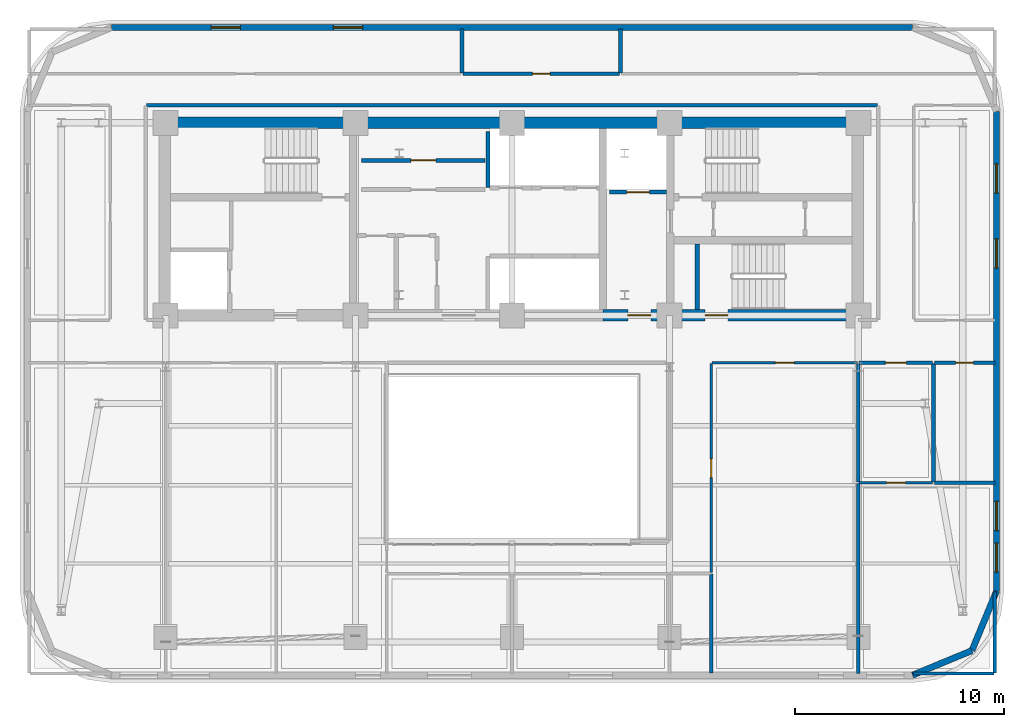
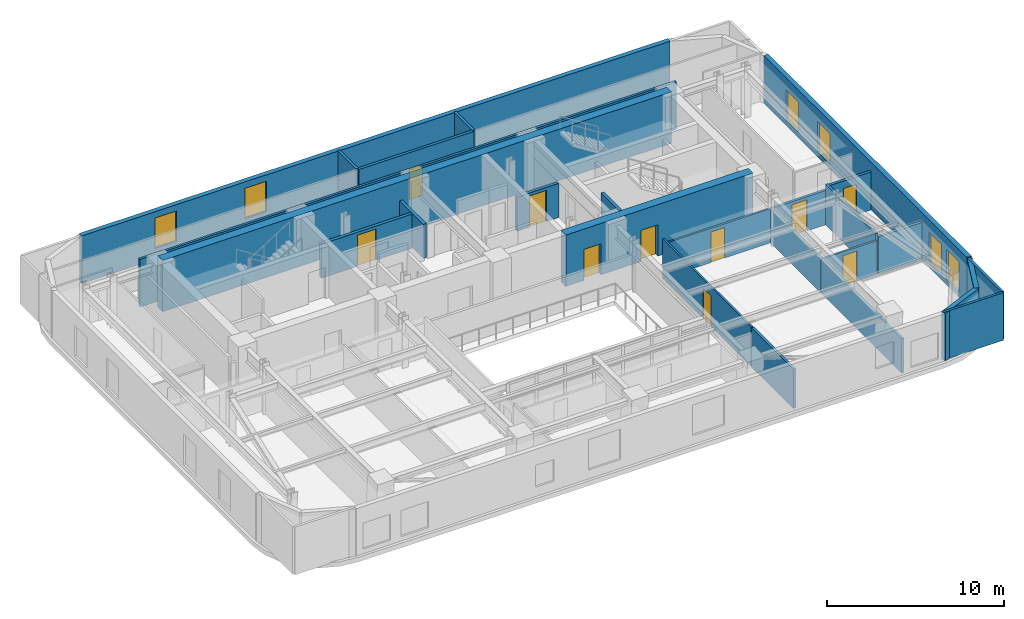
# One storey, part 7 of 11: 26 walls, 10 doors, 6 windows, 16 openings.
"""IFC4 building model written with IfcOpenShell, lengths in metres."""

from ifc_helpers import new_model, si_unit, direction, frame, frame_2d, origin, place, context, subcontext, project, spatial, rectangle, extrude, material, layer, layer_set, type_object, element, fill, save


model = new_model("IFC4")

# Units and contexts
model_context = context("Model", 3, precision=1e-05, world=origin(), true_north=direction((0.0, 1.0)))
body_context = subcontext(model_context, "Body", "Model", "MODEL_VIEW")
ifc_project = project(units=[si_unit("LENGTHUNIT", "METRE"), si_unit("AREAUNIT", "SQUARE_METRE"), si_unit("VOLUMEUNIT", "CUBIC_METRE"), si_unit("PLANEANGLEUNIT", "RADIAN"), si_unit("MASSUNIT", "GRAM", prefix="KILO")], contexts=[model_context])

# Site, building, storey
site_placement = place(None, origin())
site = spatial("IfcSite", under=ifc_project, at=site_placement, CompositionType="ELEMENT")
building_placement = place(site_placement, origin())
building = spatial("IfcBuilding", under=site, at=building_placement, Name="Zarnavel Station Tower", CompositionType="ELEMENT")
storey_placement = place(building_placement, frame((0.0, 0.0, 151.89990234375)))
storey = spatial("IfcBuildingStorey", under=building, at=storey_placement, Name="L41", CompositionType="ELEMENT", Elevation=151.89990234375)

# Wall
ifc_material_1 = material(Name="Concrete C50/60", Category="concrete")
ifc_layer_1 = layer(ifc_material_1, 0.550048828125)
ifc_layer_set_1 = layer_set([ifc_layer_1], Name="CW_550")
wall_type_1 = type_object("IfcWallType", Name="CW_550", PredefinedType="SHEAR", material=ifc_layer_set_1)
wall_1_placement = place(storey_placement, frame((12.14990234375, 37.050048828125, 0.0), z_axis=(0.0, 0.0, 1.0), x_axis=(1.0, 0.0, 0.0)))
element("IfcWall", 1, at=wall_1_placement, inside=storey, type_object=wall_type_1, Name="L41 Rear Core Shear Wall N", PredefinedType="SHEAR", context=body_context, shape_type="SweptSolid", body=[
    extrude(rectangle(XDim=33.22998046875, YDim=0.550048828125, at=frame_2d((16.614990234375, 0.0))), origin(), (0.0, 0.0, 1.0), 3.550048828125),
])

# Wall, openings, doors
wall_2_placement = place(storey_placement, frame((45.3798828125, 27.820068359375, 0.0), z_axis=(0.0, 0.0, 1.0), x_axis=(-1.0, 0.0, 0.0)))
wall_2 = element("IfcWall", 2, at=wall_2_placement, inside=storey, type_object=wall_type_1, Name="L41 Rear Core Shear Wall S-E", PredefinedType="SHEAR", context=body_context, shape_type="SweptSolid", body=[
    extrude(rectangle(XDim=12.22998046875, YDim=0.550048828125, at=frame_2d((6.114990234375, 0.0))), origin(), (0.0, 0.0, 1.0), 3.550048828125),
])
opening_1_placement = place(wall_2_placement, frame((9.929931640625, 0.0, 0.0)))
opening_1 = element("IfcOpeningElement", 3, at=opening_1_placement, cuts=wall_2, Name="Opening FD01", PredefinedType="OPENING", context=body_context, shape_type="SweptSolid", body=[
    extrude(rectangle(XDim=1.10009765625, YDim=2.14990234375, at=frame_2d((0.550048828125, 1.074951171875))), frame((0.0, 0.284912109375, 0.0), z_axis=(0.0, -1.0, 0.0), x_axis=(1.0, 0.0, 0.0)), (0.0, 0.0, 1.0), 0.570068359375),
])
opening_2_placement = place(wall_2_placement, frame((6.22998046875, 0.0, 0.0)))
opening_2 = element("IfcOpeningElement", 4, at=opening_2_placement, cuts=wall_2, Name="Opening FD01", PredefinedType="OPENING", context=body_context, shape_type="SweptSolid", body=[
    extrude(rectangle(XDim=1.10009765625, YDim=2.14990234375, at=frame_2d((0.550048828125, 1.074951171875))), frame((0.0, 0.284912109375, 0.0), z_axis=(0.0, -1.0, 0.0), x_axis=(1.0, 0.0, 0.0)), (0.0, 0.0, 1.0), 0.570068359375),
])
ifc_material_2 = material(Name="Painted Galvanised Steel and Hardwood Leaf", Category="steel")
door_type_1 = type_object("IfcDoorType", Name="ID_STAIR_1100", OperationType="NOTDEFINED", PredefinedType="DOOR", material=ifc_material_2)
door_1_placement = place(opening_1_placement, origin())
door_1 = element("IfcDoor", 5, at=door_1_placement, inside=storey, type_object=door_type_1, Name="L41 East Firefighting Lobby Door", OperationType="SINGLE_SWING_LEFT", OverallHeight=2.14990234375, OverallWidth=1.10009765625, PredefinedType="DOOR", context=body_context, shape_type="SweptSolid", body=[
    extrude(rectangle(XDim=1.10009765625, YDim=2.14990234375, at=frame_2d((0.550048828125, 1.074951171875))), frame((0.0, 0.02490234375, 0.0), z_axis=(0.0, -1.0, 0.0), x_axis=(1.0, 0.0, 0.0)), (0.0, 0.0, 1.0), 0.050048828125),
])
fill(opening_1, door_1)
door_2_placement = place(opening_2_placement, origin())
door_2 = element("IfcDoor", 6, at=door_2_placement, inside=storey, type_object=door_type_1, Name="L41 Stair ST3 Corridor Fire Door", OperationType="SINGLE_SWING_RIGHT", OverallHeight=2.14990234375, OverallWidth=1.10009765625, PredefinedType="DOOR", context=body_context, shape_type="SweptSolid", body=[
    extrude(rectangle(XDim=1.10009765625, YDim=2.14990234375, at=frame_2d((0.550048828125, 1.074951171875))), frame((0.0, 0.02490234375, 0.0), z_axis=(0.0, -1.0, 0.0), x_axis=(1.0, 0.0, 0.0)), (0.0, 0.0, 1.0), 0.050048828125),
])
fill(opening_2, door_2)

# Walls
ifc_material_3 = material(Name="Precast concrete C45/55 (Dark Basalt Finish)", Category="masonry")
ifc_layer_2 = layer(ifc_material_3, 0.300048828125)
ifc_layer_set_2 = layer_set([ifc_layer_2], Name="EW_BASALT_300")
wall_type_2 = type_object("IfcWallType", Name="EW_BASALT_300", PredefinedType="SOLIDWALL", material=ifc_layer_set_2)
wall_3_placement = place(storey_placement, frame((50.842529296875, 11.75732421875, 0.0), z_axis=(0.0, 0.0, 1.0), x_axis=(-0.92389884758, -0.382636798336, 0.0)))
element("IfcWall", 7, at=wall_3_placement, inside=storey, type_object=wall_type_2, Name="L41 Exterior Basalt Masonry Frame Wall 01", PredefinedType="SOLIDWALL", context=body_context, shape_type="SweptSolid", body=[
    extrude(rectangle(XDim=3.07666015625, YDim=0.300048828125, at=frame_2d((1.538330078125, 0.0))), origin(), (0.0, 0.0, 1.0), 3.2900390625),
])
wall_4_placement = place(storey_placement, frame((52.02001953125, 14.60009765625, 0.0), z_axis=(0.0, 0.0, 1.0), x_axis=(-0.382676475685, -0.923882414032, 0.0)))
element("IfcWall", 8, at=wall_4_placement, inside=storey, type_object=wall_type_2, Name="L41 Exterior Basalt Masonry Frame Wall 02", PredefinedType="SOLIDWALL", context=body_context, shape_type="SweptSolid", body=[
    extrude(rectangle(XDim=3.076904296875, YDim=0.300048828125, at=frame_2d((1.53857421875, 0.0))), origin(), (0.0, 0.0, 1.0), 3.2900390625),
])

# Wall, openings, windows
wall_5_placement = place(storey_placement, frame((52.02001953125, 37.60009765625, 0.0), z_axis=(0.0, 0.0, 1.0), x_axis=(0.0, -1.0, 0.0)))
wall_5 = element("IfcWall", 9, at=wall_5_placement, inside=storey, type_object=wall_type_2, Name="L41 Exterior Basalt Masonry Frame Wall 03", PredefinedType="SOLIDWALL", context=body_context, shape_type="SweptSolid", body=[
    extrude(rectangle(XDim=23.0, YDim=0.300048828125, at=frame_2d((11.5, 0.0))), origin(), (0.0, 0.0, 1.0), 3.2900390625),
])
opening_3_placement = place(wall_5_placement, frame((2.51318359375, 0.0, 0.340087890625)))
opening_3 = element("IfcOpeningElement", 10, at=opening_3_placement, cuts=wall_5, Name="Opening WN04", PredefinedType="OPENING", context=body_context, shape_type="SweptSolid", body=[
    extrude(rectangle(XDim=1.39990234375, YDim=2.10009765625, at=frame_2d((0.699951171875, 1.050048828125))), frame((0.0, 0.159912109375, 0.0), z_axis=(0.0, -1.0, 0.0), x_axis=(1.0, 0.0, 0.0)), (0.0, 0.0, 1.0), 0.320068359375),
])
opening_4_placement = place(wall_5_placement, frame((6.106689453125, 0.0, 0.340087890625)))
opening_4 = element("IfcOpeningElement", 11, at=opening_4_placement, cuts=wall_5, Name="Opening WN04", PredefinedType="OPENING", context=body_context, shape_type="SweptSolid", body=[
    extrude(rectangle(XDim=1.39990234375, YDim=2.10009765625, at=frame_2d((0.699951171875, 1.050048828125))), frame((0.0, 0.159912109375, 0.0), z_axis=(0.0, -1.0, 0.0), x_axis=(1.0, 0.0, 0.0)), (0.0, 0.0, 1.0), 0.320068359375),
])
opening_5_placement = place(wall_5_placement, frame((18.693359375, 0.0, 0.340087890625)))
opening_5 = element("IfcOpeningElement", 12, at=opening_5_placement, cuts=wall_5, Name="Opening WN04", PredefinedType="OPENING", context=body_context, shape_type="SweptSolid", body=[
    extrude(rectangle(XDim=1.39990234375, YDim=2.10009765625, at=frame_2d((0.699951171875, 1.050048828125))), frame((0.0, 0.159912109375, 0.0), z_axis=(0.0, -1.0, 0.0), x_axis=(1.0, 0.0, 0.0)), (0.0, 0.0, 1.0), 0.320068359375),
])
opening_6_placement = place(wall_5_placement, frame((20.686767578125, 0.0, 0.340087890625)))
opening_6 = element("IfcOpeningElement", 13, at=opening_6_placement, cuts=wall_5, Name="Opening WN04", PredefinedType="OPENING", context=body_context, shape_type="SweptSolid", body=[
    extrude(rectangle(XDim=1.39990234375, YDim=2.10009765625, at=frame_2d((0.699951171875, 1.050048828125))), frame((0.0, 0.159912109375, 0.0), z_axis=(0.0, -1.0, 0.0), x_axis=(1.0, 0.0, 0.0)), (0.0, 0.0, 1.0), 0.320068359375),
])
ifc_material_4 = material(Name="Thermally Broken Black Aluminium and Low-E Dark Glass", Category="aluminium")
window_type = type_object("IfcWindowType", Name="WN_1400x2100", PartitioningType="DOUBLE_PANEL_VERTICAL", PredefinedType="WINDOW", material=ifc_material_4)
window_1_placement = place(opening_3_placement, origin())
window_1 = element("IfcWindow", 14, at=window_1_placement, inside=storey, type_object=window_type, Name="L41 Recessed Facade Window 01", OverallHeight=2.10009765625, OverallWidth=1.39990234375, PartitioningType="SINGLE_PANEL", PredefinedType="WINDOW", context=body_context, shape_type="SweptSolid", body=[
    extrude(rectangle(XDim=1.39990234375, YDim=2.10009765625, at=frame_2d((0.699951171875, 1.050048828125))), frame((0.0, 0.030029296875, 0.0), z_axis=(0.0, -1.0, 0.0), x_axis=(1.0, 0.0, 0.0)), (0.0, 0.0, 1.0), 0.06005859375),
])
fill(opening_3, window_1)
window_2_placement = place(opening_4_placement, origin())
window_2 = element("IfcWindow", 15, at=window_2_placement, inside=storey, type_object=window_type, Name="L41 Recessed Facade Window 02", OverallHeight=2.10009765625, OverallWidth=1.39990234375, PartitioningType="SINGLE_PANEL", PredefinedType="WINDOW", context=body_context, shape_type="SweptSolid", body=[
    extrude(rectangle(XDim=1.39990234375, YDim=2.10009765625, at=frame_2d((0.699951171875, 1.050048828125))), frame((0.0, 0.030029296875, 0.0), z_axis=(0.0, -1.0, 0.0), x_axis=(1.0, 0.0, 0.0)), (0.0, 0.0, 1.0), 0.06005859375),
])
fill(opening_4, window_2)
window_3_placement = place(opening_5_placement, origin())
window_3 = element("IfcWindow", 16, at=window_3_placement, inside=storey, type_object=window_type, Name="L41 Recessed Facade Window 03", OverallHeight=2.10009765625, OverallWidth=1.39990234375, PartitioningType="SINGLE_PANEL", PredefinedType="WINDOW", context=body_context, shape_type="SweptSolid", body=[
    extrude(rectangle(XDim=1.39990234375, YDim=2.10009765625, at=frame_2d((0.699951171875, 1.050048828125))), frame((0.0, 0.030029296875, 0.0), z_axis=(0.0, -1.0, 0.0), x_axis=(1.0, 0.0, 0.0)), (0.0, 0.0, 1.0), 0.06005859375),
])
fill(opening_5, window_3)
window_4_placement = place(opening_6_placement, origin())
window_4 = element("IfcWindow", 17, at=window_4_placement, inside=storey, type_object=window_type, Name="L41 Recessed Facade Window 04", OverallHeight=2.10009765625, OverallWidth=1.39990234375, PartitioningType="SINGLE_PANEL", PredefinedType="WINDOW", context=body_context, shape_type="SweptSolid", body=[
    extrude(rectangle(XDim=1.39990234375, YDim=2.10009765625, at=frame_2d((0.699951171875, 1.050048828125))), frame((0.0, 0.030029296875, 0.0), z_axis=(0.0, -1.0, 0.0), x_axis=(1.0, 0.0, 0.0)), (0.0, 0.0, 1.0), 0.06005859375),
])
fill(opening_6, window_4)

wall_6_placement = place(storey_placement, frame((9.60009765625, 41.6201171875, 0.0), z_axis=(0.0, 0.0, 1.0), x_axis=(1.0, 0.0, 0.0)))
wall_6 = element("IfcWall", 18, at=wall_6_placement, inside=storey, type_object=wall_type_2, Name="L41 Exterior Basalt Masonry Frame Wall 06", PredefinedType="SOLIDWALL", context=body_context, shape_type="SweptSolid", body=[
    extrude(rectangle(XDim=38.39990234375, YDim=0.300048828125, at=frame_2d((19.199951171875, 0.0))), origin(), (0.0, 0.0, 1.0), 3.2900390625),
])
opening_7_placement = place(wall_6_placement, frame((4.780029296875, 0.0, 0.75)))
opening_7 = element("IfcOpeningElement", 19, at=opening_7_placement, cuts=wall_6, Name="Opening WN04", PredefinedType="OPENING", context=body_context, shape_type="SweptSolid", body=[
    extrude(rectangle(XDim=1.39990234375, YDim=2.10009765625, at=frame_2d((0.699951171875, 1.050048828125))), frame((0.0, 0.159912109375, 0.0), z_axis=(0.0, -1.0, 0.0), x_axis=(1.0, 0.0, 0.0)), (0.0, 0.0, 1.0), 0.320068359375),
])
opening_8_placement = place(wall_6_placement, frame((10.639892578125, 0.0, 0.75)))
opening_8 = element("IfcOpeningElement", 20, at=opening_8_placement, cuts=wall_6, Name="Opening WN04", PredefinedType="OPENING", context=body_context, shape_type="SweptSolid", body=[
    extrude(rectangle(XDim=1.39990234375, YDim=2.10009765625, at=frame_2d((0.699951171875, 1.050048828125))), frame((0.0, 0.159912109375, 0.0), z_axis=(0.0, -1.0, 0.0), x_axis=(1.0, 0.0, 0.0)), (0.0, 0.0, 1.0), 0.320068359375),
])
window_5_placement = place(opening_7_placement, origin())
window_5 = element("IfcWindow", 21, at=window_5_placement, inside=storey, type_object=window_type, Name="L41 Recessed Facade Window 01", OverallHeight=2.10009765625, OverallWidth=1.39990234375, PartitioningType="SINGLE_PANEL", PredefinedType="WINDOW", context=body_context, shape_type="SweptSolid", body=[
    extrude(rectangle(XDim=1.39990234375, YDim=2.10009765625, at=frame_2d((0.699951171875, 1.050048828125))), frame((0.0, 0.030029296875, 0.0), z_axis=(0.0, -1.0, 0.0), x_axis=(1.0, 0.0, 0.0)), (0.0, 0.0, 1.0), 0.06005859375),
])
fill(opening_7, window_5)
window_6_placement = place(opening_8_placement, origin())
window_6 = element("IfcWindow", 22, at=window_6_placement, inside=storey, type_object=window_type, Name="L41 Recessed Facade Window 02", OverallHeight=2.10009765625, OverallWidth=1.39990234375, PartitioningType="SINGLE_PANEL", PredefinedType="WINDOW", context=body_context, shape_type="SweptSolid", body=[
    extrude(rectangle(XDim=1.39990234375, YDim=2.10009765625, at=frame_2d((0.699951171875, 1.050048828125))), frame((0.0, 0.030029296875, 0.0), z_axis=(0.0, -1.0, 0.0), x_axis=(1.0, 0.0, 0.0)), (0.0, 0.0, 1.0), 0.06005859375),
])
fill(opening_8, window_6)

# Wall, opening, door
ifc_material_5 = material(Name="Gypsum Twin-Stud Acoustic Fire Partition", Category="concrete")
ifc_layer_3 = layer(ifc_material_5, 0.159912109375)
ifc_layer_set_3 = layer_set([ifc_layer_3], Name="PT_DEMISE_160")
wall_type_3 = type_object("IfcWallType", Name="PT_DEMISE_160", PredefinedType="PARTITIONING", material=ifc_layer_set_3)
wall_7_placement = place(storey_placement, frame((45.43994140625, 25.550048828125, 0.0), z_axis=(0.0, 0.0, 1.0), x_axis=(1.0, 0.0, 0.0)))
wall_7 = element("IfcWall", 23, at=wall_7_placement, inside=storey, type_object=wall_type_3, Name="L41 Partition COR-S-L41LNG", PredefinedType="PARTITIONING", context=body_context, shape_type="SweptSolid", body=[
    extrude(rectangle(XDim=3.52001953125, YDim=0.159912109375, at=frame_2d((1.760009765625, 0.0))), origin(), (0.0, 0.0, 1.0), 2.360107421875),
])
opening_9_placement = place(wall_7_placement, frame((1.260009765625, 0.0, 0.0)))
opening_9 = element("IfcOpeningElement", 24, at=opening_9_placement, cuts=wall_7, Name="Opening FD02", PredefinedType="OPENING", context=body_context, shape_type="SweptSolid", body=[
    extrude(rectangle(XDim=1.0, YDim=2.14990234375, at=frame_2d((0.5, 1.074951171875))), frame((0.0, 0.08984375, 0.0), z_axis=(0.0, -1.0, 0.0), x_axis=(1.0, 0.0, 0.0)), (0.0, 0.0, 1.0), 0.179931640625),
])
ifc_material_6 = material(Name="Painted Galvanised Steel and Hardwood Leaf", Category="steel")
door_type_2 = type_object("IfcDoorType", Name="ID_ENTRY_1000", OperationType="NOTDEFINED", PredefinedType="DOOR", material=ifc_material_6)
door_3_placement = place(opening_9_placement, origin())
door_3 = element("IfcDoor", 25, at=door_3_placement, inside=storey, type_object=door_type_2, Name="L41 Door COR-S-L41LNG", OperationType="SINGLE_SWING_RIGHT", OverallHeight=2.14990234375, OverallWidth=1.0, PredefinedType="DOOR", context=body_context, shape_type="SweptSolid", body=[
    extrude(rectangle(XDim=1.0, YDim=2.14990234375, at=frame_2d((0.5, 1.074951171875))), frame((0.0, 0.02490234375, 0.0), z_axis=(0.0, -1.0, 0.0), x_axis=(1.0, 0.0, 0.0)), (0.0, 0.0, 1.0), 0.050048828125),
])
fill(opening_9, door_3)

# Walls
wall_8_placement = place(storey_placement, frame((45.39990234375, 10.659912109375, 0.0), z_axis=(0.0, 0.0, 1.0), x_axis=(0.0, 1.0, 0.0)))
element("IfcWall", 26, at=wall_8_placement, inside=storey, type_object=wall_type_3, Name="L41 Partition L41CIN-L41GYM", PredefinedType="PARTITIONING", context=body_context, shape_type="SweptSolid", body=[
    extrude(rectangle(XDim=9.10009765625, YDim=0.159912109375, at=frame_2d((4.550048828125, 0.0))), origin(), (0.0, 0.0, 1.0), 2.360107421875),
])
wall_9_placement = place(storey_placement, frame((45.39990234375, 19.840087890625, 0.0), z_axis=(0.0, 0.0, 1.0), x_axis=(0.0, 1.0, 0.0)))
element("IfcWall", 27, at=wall_9_placement, inside=storey, type_object=wall_type_3, Name="L41 Partition L41CIN-L41LNG", PredefinedType="PARTITIONING", context=body_context, shape_type="SweptSolid", body=[
    extrude(rectangle(XDim=5.669921875, YDim=0.159912109375, at=frame_2d((2.8349609375, 0.0))), origin(), (0.0, 0.0, 1.0), 2.360107421875),
])
wall_10_placement = place(storey_placement, frame((11.280029296875, 37.89990234375, 0.0), z_axis=(0.0, 0.0, 1.0), x_axis=(1.0, 0.0, 0.0)))
element("IfcWall", 28, at=wall_10_placement, inside=storey, type_object=wall_type_3, Name="L41 Enclosure Wall COR-N", PredefinedType="PARTITIONING", context=body_context, shape_type="SweptSolid", body=[
    extrude(rectangle(XDim=35.0400390625, YDim=0.159912109375, at=frame_2d((17.52001953125, 0.0))), origin(), (0.0, 0.0, 1.0), 3.2900390625),
])
wall_11_placement = place(storey_placement, frame((38.35009765625, 10.68994140625, 0.0), z_axis=(0.0, 0.0, 1.0), x_axis=(0.0, 1.0, 0.0)))
element("IfcWall", 29, at=wall_11_placement, inside=storey, type_object=wall_type_3, Name="L41 Enclosure Wall L41CIN", PredefinedType="PARTITIONING", context=body_context, shape_type="SweptSolid", body=[
    extrude(rectangle(XDim=4.72998046875, YDim=0.159912109375, at=frame_2d((2.364990234375, 0.0))), origin(), (0.0, 0.0, 1.0), 2.72021484375),
])
wall_12_placement = place(storey_placement, frame((48.030029296875, 10.659912109375, 0.0), z_axis=(0.0, 0.0, 1.0), x_axis=(1.0, 0.0, 0.0)))
element("IfcWall", 30, at=wall_12_placement, inside=storey, type_object=wall_type_3, Name="L41 Enclosure Wall L41GYM", PredefinedType="PARTITIONING", context=body_context, shape_type="SweptSolid", body=[
    extrude(rectangle(XDim=3.8798828125, YDim=0.159912109375, at=frame_2d((1.93994140625, 0.0))), origin(), (0.0, 0.0, 1.0), 3.2900390625),
])
wall_13_placement = place(storey_placement, frame((51.93994140625, 10.68994140625, 0.0), z_axis=(0.0, 0.0, 1.0), x_axis=(0.0, 1.0, 0.0)))
element("IfcWall", 31, at=wall_13_placement, inside=storey, type_object=wall_type_3, Name="L41 Enclosure Wall L41GYM", PredefinedType="PARTITIONING", context=body_context, shape_type="SweptSolid", body=[
    extrude(rectangle(XDim=3.880126953125, YDim=0.159912109375, at=frame_2d((1.93994140625, 0.0))), origin(), (0.0, 0.0, 1.0), 3.2900390625),
])

# Wall, opening, door
ifc_material_7 = material(Name="Gypsum Metal-Stud Interior Partition", Category="concrete")
ifc_layer_4 = layer(ifc_material_7, 0.1201171875)
ifc_layer_set_4 = layer_set([ifc_layer_4], Name="PT_ROOM_120")
wall_type_4 = type_object("IfcWallType", Name="PT_ROOM_120", PredefinedType="PARTITIONING", material=ifc_layer_set_4)
wall_14_placement = place(storey_placement, frame((38.389892578125, 25.550048828125, 0.0), z_axis=(0.0, 0.0, 1.0), x_axis=(1.0, 0.0, 0.0)))
wall_14 = element("IfcWall", 32, at=wall_14_placement, inside=storey, type_object=wall_type_4, Name="L41 Partition COR-S-L41CIN", PredefinedType="PARTITIONING", context=body_context, shape_type="SweptSolid", body=[
    extrude(rectangle(XDim=6.97021484375, YDim=0.1201171875, at=frame_2d((3.485107421875, 0.0))), origin(), (0.0, 0.0, 1.0), 2.360107421875),
])
opening_10_placement = place(wall_14_placement, frame((3.034912109375, 0.0, 0.0)))
opening_10 = element("IfcOpeningElement", 33, at=opening_10_placement, cuts=wall_14, Name="Opening ID01", PredefinedType="OPENING", context=body_context, shape_type="SweptSolid", body=[
    extrude(rectangle(XDim=0.89990234375, YDim=2.10009765625, at=frame_2d((0.449951171875, 1.050048828125))), frame((0.0, 0.070068359375, 0.0), z_axis=(0.0, -1.0, 0.0), x_axis=(1.0, 0.0, 0.0)), (0.0, 0.0, 1.0), 0.14013671875),
])
ifc_material_8 = material(Name="Painted Galvanised Steel and Hardwood Leaf", Category="steel")
door_type_3 = type_object("IfcDoorType", Name="ID_ROOM_900", OperationType="NOTDEFINED", PredefinedType="DOOR", material=ifc_material_8)
door_4_placement = place(opening_10_placement, origin())
door_4 = element("IfcDoor", 34, at=door_4_placement, inside=storey, type_object=door_type_3, Name="L41 Door COR-S-L41CIN", OperationType="SINGLE_SWING_LEFT", OverallHeight=2.10009765625, OverallWidth=0.89990234375, PredefinedType="DOOR", context=body_context, shape_type="SweptSolid", body=[
    extrude(rectangle(XDim=0.89990234375, YDim=2.10009765625, at=frame_2d((0.449951171875, 1.050048828125))), frame((0.0, 0.02490234375, 0.0), z_axis=(0.0, -1.0, 0.0), x_axis=(1.0, 0.0, 0.0)), (0.0, 0.0, 1.0), 0.050048828125),
])
fill(opening_10, door_4)

wall_15_placement = place(storey_placement, frame((38.35009765625, 15.489990234375, 0.0), z_axis=(0.0, 0.0, 1.0), x_axis=(0.0, 1.0, 0.0)))
wall_15 = element("IfcWall", 35, at=wall_15_placement, inside=storey, type_object=wall_type_4, Name="L41 Partition COR-AE-L41CIN", PredefinedType="PARTITIONING", context=body_context, shape_type="SweptSolid", body=[
    extrude(rectangle(XDim=10.02001953125, YDim=0.1201171875, at=frame_2d((5.010009765625, 0.0))), origin(), (0.0, 0.0, 1.0), 2.72021484375),
])
opening_11_placement = place(wall_15_placement, frame((4.56005859375, 0.0, 0.0)))
opening_11 = element("IfcOpeningElement", 36, at=opening_11_placement, cuts=wall_15, Name="Opening ID01", PredefinedType="OPENING", context=body_context, shape_type="SweptSolid", body=[
    extrude(rectangle(XDim=0.89990234375, YDim=2.10009765625, at=frame_2d((0.449951171875, 1.050048828125))), frame((0.0, 0.070068359375, 0.0), z_axis=(0.0, -1.0, 0.0), x_axis=(1.0, 0.0, 0.0)), (0.0, 0.0, 1.0), 0.14013671875),
])
door_5_placement = place(opening_11_placement, origin())
door_5 = element("IfcDoor", 37, at=door_5_placement, inside=storey, type_object=door_type_3, Name="L41 Door COR-AE-L41CIN", OperationType="SINGLE_SWING_LEFT", OverallHeight=2.10009765625, OverallWidth=0.89990234375, PredefinedType="DOOR", context=body_context, shape_type="SweptSolid", body=[
    extrude(rectangle(XDim=0.89990234375, YDim=2.10009765625, at=frame_2d((0.449951171875, 1.050048828125))), frame((0.0, 0.02490234375, 0.0), z_axis=(0.0, -1.0, 0.0), x_axis=(1.0, 0.0, 0.0)), (0.0, 0.0, 1.0), 0.050048828125),
])
fill(opening_11, door_5)

wall_16_placement = place(storey_placement, frame((45.43994140625, 19.800048828125, 0.0), z_axis=(0.0, 0.0, 1.0), x_axis=(1.0, 0.0, 0.0)))
wall_16 = element("IfcWall", 38, at=wall_16_placement, inside=storey, type_object=wall_type_4, Name="L41 Partition L41GYM-L41LNG", PredefinedType="PARTITIONING", context=body_context, shape_type="SweptSolid", body=[
    extrude(rectangle(XDim=3.52001953125, YDim=0.1201171875, at=frame_2d((1.760009765625, 0.0))), origin(), (0.0, 0.0, 1.0), 2.360107421875),
])
opening_12_placement = place(wall_16_placement, frame((1.31005859375, 0.0, 0.0)))
opening_12 = element("IfcOpeningElement", 39, at=opening_12_placement, cuts=wall_16, Name="Opening ID01", PredefinedType="OPENING", context=body_context, shape_type="SweptSolid", body=[
    extrude(rectangle(XDim=0.89990234375, YDim=2.10009765625, at=frame_2d((0.449951171875, 1.050048828125))), frame((0.0, 0.070068359375, 0.0), z_axis=(0.0, -1.0, 0.0), x_axis=(1.0, 0.0, 0.0)), (0.0, 0.0, 1.0), 0.14013671875),
])
door_6_placement = place(opening_12_placement, origin())
door_6 = element("IfcDoor", 40, at=door_6_placement, inside=storey, type_object=door_type_3, Name="L41 Door L41GYM-L41LNG", OperationType="SINGLE_SWING_LEFT", OverallHeight=2.10009765625, OverallWidth=0.89990234375, PredefinedType="DOOR", context=body_context, shape_type="SweptSolid", body=[
    extrude(rectangle(XDim=0.89990234375, YDim=2.10009765625, at=frame_2d((0.449951171875, 1.050048828125))), frame((0.0, 0.02490234375, 0.0), z_axis=(0.0, -1.0, 0.0), x_axis=(1.0, 0.0, 0.0)), (0.0, 0.0, 1.0), 0.050048828125),
])
fill(opening_12, door_6)

ifc_material_9 = material(Name="Precast concrete C45/55 (Fire Shaft Blockwork)", Category="masonry")
ifc_layer_5 = layer(ifc_material_9, 0.199951171875)
ifc_layer_set_5 = layer_set([ifc_layer_5], Name="PT_SHAFT_200")
wall_type_5 = type_object("IfcWallType", Name="PT_SHAFT_200", PredefinedType="PARTITIONING", material=ifc_layer_set_5)
wall_17_placement = place(storey_placement, frame((33.47509765625, 33.72998046875, 0.0), z_axis=(0.0, 0.0, 1.0), x_axis=(1.0, 0.0, 0.0)))
wall_17 = element("IfcWall", 41, at=wall_17_placement, inside=storey, type_object=wall_type_5, Name="L41 Lift FFL-02 Shaft Front Wall", PredefinedType="PARTITIONING", context=body_context, shape_type="SweptSolid", body=[
    extrude(rectangle(XDim=2.724853515625, YDim=0.199951171875, at=frame_2d((1.3623046875, 0.0))), origin(), (0.0, 0.0, 1.0), 2.360107421875),
])
opening_13_placement = place(wall_17_placement, frame((0.8125, 0.0, 0.0)))
opening_13 = element("IfcOpeningElement", 42, at=opening_13_placement, cuts=wall_17, Name="Opening LD01", PredefinedType="OPENING", context=body_context, shape_type="SweptSolid", body=[
    extrude(rectangle(XDim=1.10009765625, YDim=2.14990234375, at=frame_2d((0.550048828125, 1.074951171875))), frame((0.0, 0.10986328125, 0.0), z_axis=(0.0, -1.0, 0.0), x_axis=(1.0, 0.0, 0.0)), (0.0, 0.0, 1.0), 0.219970703125),
])
ifc_material_10 = material(Name="Painted Galvanised Steel and Hardwood Leaf", Category="steel")
door_type_4 = type_object("IfcDoorType", Name="LD_FF_1100", OperationType="DOUBLE_DOOR_SLIDING", PredefinedType="DOOR", material=ifc_material_10)
door_7_placement = place(opening_13_placement, origin())
door_7 = element("IfcDoor", 43, at=door_7_placement, inside=storey, type_object=door_type_4, Name="L41 Lift FFL-02 Sliding Landing Door", OperationType="DOUBLE_DOOR_SLIDING", OverallHeight=2.14990234375, OverallWidth=1.10009765625, PredefinedType="DOOR", context=body_context, shape_type="SweptSolid", body=[
    extrude(rectangle(XDim=1.10009765625, YDim=2.14990234375, at=frame_2d((0.550048828125, 1.074951171875))), frame((0.0, 0.02490234375, 0.0), z_axis=(0.0, -1.0, 0.0), x_axis=(1.0, 0.0, 0.0)), (0.0, 0.0, 1.0), 0.050048828125),
])
fill(opening_13, door_7)

# Walls
wall_18_placement = place(storey_placement, frame((27.64990234375, 33.949951171875, 0.0), z_axis=(0.0, 0.0, 1.0), x_axis=(0.0, 1.0, 0.0)))
element("IfcWall", 44, at=wall_18_placement, inside=storey, type_object=wall_type_5, Name="L41 Mid-Rise Lift Bank West Shaft Wall", PredefinedType="PARTITIONING", context=body_context, shape_type="SweptSolid", body=[
    extrude(rectangle(XDim=2.679931640625, YDim=0.199951171875, at=frame_2d((1.33984375, 0.0))), origin(), (0.0, 0.0, 1.0), 2.360107421875),
])
wall_19_placement = place(storey_placement, frame((37.679931640625, 28.094970703125, 0.0), z_axis=(0.0, 0.0, 1.0), x_axis=(0.0, 1.0, 0.0)))
element("IfcWall", 45, at=wall_19_placement, inside=storey, type_object=wall_type_5, Name="L41 Stair ST3 West Shaft Wall", PredefinedType="PARTITIONING", context=body_context, shape_type="SweptSolid", body=[
    extrude(rectangle(XDim=3.155029296875, YDim=0.199951171875, at=frame_2d((1.57763671875, 0.0))), origin(), (0.0, 0.0, 1.0), 2.670166015625),
])

# Wall, opening, door
wall_20_placement = place(storey_placement, frame((21.590087890625, 35.25, 0.0), z_axis=(0.0, 0.0, 1.0), x_axis=(1.0, 0.0, 0.0)))
wall_20 = element("IfcWall", 46, at=wall_20_placement, inside=storey, type_object=wall_type_5, Name="L41 Partition FB1A-FB1B", PredefinedType="PARTITIONING", context=body_context, shape_type="SweptSolid", body=[
    extrude(rectangle(XDim=5.919921875, YDim=0.199951171875, at=frame_2d((2.9599609375, 0.0))), origin(), (0.0, 0.0, 1.0), 2.360107421875),
])
opening_14_placement = place(wall_20_placement, frame((2.360107421875, 0.0, 0.0)))
opening_14 = element("IfcOpeningElement", 47, at=opening_14_placement, cuts=wall_20, Name="Opening FD03", PredefinedType="OPENING", context=body_context, shape_type="SweptSolid", body=[
    extrude(rectangle(XDim=1.199951171875, YDim=2.14990234375, at=frame_2d((0.60009765625, 1.074951171875))), frame((0.0, 0.10986328125, 0.0), z_axis=(0.0, -1.0, 0.0), x_axis=(1.0, 0.0, 0.0)), (0.0, 0.0, 1.0), 0.219970703125),
])
ifc_material_11 = material(Name="Painted Galvanised Steel and Hardwood Leaf", Category="steel")
door_type_5 = type_object("IfcDoorType", Name="ID_PLANT_1200", OperationType="NOTDEFINED", PredefinedType="DOOR", material=ifc_material_11)
door_8_placement = place(opening_14_placement, origin())
door_8 = element("IfcDoor", 48, at=door_8_placement, inside=storey, type_object=door_type_5, Name="L41 Door FB1A-FB1B", OperationType="SINGLE_SWING_LEFT", OverallHeight=2.14990234375, OverallWidth=1.199951171875, PredefinedType="DOOR", context=body_context, shape_type="SweptSolid", body=[
    extrude(rectangle(XDim=1.199951171875, YDim=2.14990234375, at=frame_2d((0.60009765625, 1.074951171875))), frame((0.0, 0.02490234375, 0.0), z_axis=(0.0, -1.0, 0.0), x_axis=(1.0, 0.0, 0.0)), (0.0, 0.0, 1.0), 0.050048828125),
])
fill(opening_14, door_8)

ifc_material_12 = material(Name="Moisture-Resistant Plumbing Chase Wall", Category="concrete")
ifc_layer_6 = layer(ifc_material_12, 0.179931640625)
ifc_layer_set_6 = layer_set([ifc_layer_6], Name="PW_PLUMB_180")
wall_type_6 = type_object("IfcWallType", Name="PW_PLUMB_180", PredefinedType="PLUMBINGWALL", material=ifc_layer_set_6)
wall_21_placement = place(storey_placement, frame((49.0400390625, 25.550048828125, 0.0), z_axis=(0.0, 0.0, 1.0), x_axis=(1.0, 0.0, 0.0)))
wall_21 = element("IfcWall", 49, at=wall_21_placement, inside=storey, type_object=wall_type_6, Name="L41 Partition COR-S-L41WCA", PredefinedType="PLUMBINGWALL", context=body_context, shape_type="SweptSolid", body=[
    extrude(rectangle(XDim=2.89990234375, YDim=0.179931640625, at=frame_2d((1.449951171875, 0.0))), origin(), (0.0, 0.0, 1.0), 2.6201171875),
])
opening_15_placement = place(wall_21_placement, frame((1.02490234375, 0.0, 0.0)))
opening_15 = element("IfcOpeningElement", 50, at=opening_15_placement, cuts=wall_21, Name="Opening ID02", PredefinedType="OPENING", context=body_context, shape_type="SweptSolid", body=[
    extrude(rectangle(XDim=0.85009765625, YDim=2.10009765625, at=frame_2d((0.425048828125, 1.050048828125))), frame((0.0, 0.099853515625, 0.0), z_axis=(0.0, -1.0, 0.0), x_axis=(1.0, 0.0, 0.0)), (0.0, 0.0, 1.0), 0.199951171875),
])
ifc_material_13 = material(Name="Painted Galvanised Steel and Hardwood Leaf", Category="steel")
door_type_6 = type_object("IfcDoorType", Name="ID_BATH_850", OperationType="NOTDEFINED", PredefinedType="DOOR", material=ifc_material_13)
door_9_placement = place(opening_15_placement, origin())
door_9 = element("IfcDoor", 51, at=door_9_placement, inside=storey, type_object=door_type_6, Name="L41 Door COR-S-L41WCA", OperationType="SINGLE_SWING_LEFT", OverallHeight=2.10009765625, OverallWidth=0.85009765625, PredefinedType="DOOR", context=body_context, shape_type="SweptSolid", body=[
    extrude(rectangle(XDim=0.85009765625, YDim=2.10009765625, at=frame_2d((0.425048828125, 1.050048828125))), frame((0.0, 0.02490234375, 0.0), z_axis=(0.0, -1.0, 0.0), x_axis=(1.0, 0.0, 0.0)), (0.0, 0.0, 1.0), 0.050048828125),
])
fill(opening_15, door_9)

wall_22_placement = place(storey_placement, frame((26.43994140625, 39.39990234375, 0.0), z_axis=(0.0, 0.0, 1.0), x_axis=(1.0, 0.0, 0.0)))
wall_22 = element("IfcWall", 52, at=wall_22_placement, inside=storey, type_object=wall_type_6, Name="L41 Partition COR-N-NWC", PredefinedType="PLUMBINGWALL", context=body_context, shape_type="SweptSolid", body=[
    extrude(rectangle(XDim=7.52001953125, YDim=0.179931640625, at=frame_2d((3.760009765625, 0.0))), origin(), (0.0, 0.0, 1.0), 3.2900390625),
])
opening_16_placement = place(wall_22_placement, frame((3.3349609375, 0.0, 0.0)))
opening_16 = element("IfcOpeningElement", 53, at=opening_16_placement, cuts=wall_22, Name="Opening ID02", PredefinedType="OPENING", context=body_context, shape_type="SweptSolid", body=[
    extrude(rectangle(XDim=0.85009765625, YDim=2.10009765625, at=frame_2d((0.425048828125, 1.050048828125))), frame((0.0, 0.099853515625, 0.0), z_axis=(0.0, -1.0, 0.0), x_axis=(1.0, 0.0, 0.0)), (0.0, 0.0, 1.0), 0.199951171875),
])
door_10_placement = place(opening_16_placement, origin())
door_10 = element("IfcDoor", 54, at=door_10_placement, inside=storey, type_object=door_type_6, Name="L41 Door COR-N-NWC", OperationType="SINGLE_SWING_LEFT", OverallHeight=2.10009765625, OverallWidth=0.85009765625, PredefinedType="DOOR", context=body_context, shape_type="SweptSolid", body=[
    extrude(rectangle(XDim=0.85009765625, YDim=2.10009765625, at=frame_2d((0.425048828125, 1.050048828125))), frame((0.0, 0.02490234375, 0.0), z_axis=(0.0, -1.0, 0.0), x_axis=(1.0, 0.0, 0.0)), (0.0, 0.0, 1.0), 0.050048828125),
])
fill(opening_16, door_10)

# Walls
for number, where, z_axis, x_axis, name in (
    (55, (26.39990234375, 39.43994140625, 0.0), (0.0, 0.0, 1.0), (0.0, 1.0, 0.0), "L41 Partition NSTD-NWC"),
    (56, (34.0, 39.43994140625, 0.0), (0.0, 0.0, 1.0), (0.0, 1.0, 0.0), "L41 Partition NWC-NSTR"),
):
    element("IfcWall", number, at=place(storey_placement, frame(where, z_axis=z_axis, x_axis=x_axis)), inside=storey, type_object=wall_type_6, Name=name, PredefinedType="PLUMBINGWALL", context=body_context, shape_type="SweptSolid", body=[
        extrude(rectangle(XDim=2.10009765625, YDim=0.179931640625, at=frame_2d((1.050048828125, 0.0))), origin(), (0.0, 0.0, 1.0), 3.2900390625),
    ])
wall_23_placement = place(storey_placement, frame((49.0400390625, 19.800048828125, 0.0), z_axis=(0.0, 0.0, 1.0), x_axis=(1.0, 0.0, 0.0)))
element("IfcWall", 57, at=wall_23_placement, inside=storey, type_object=wall_type_6, Name="L41 Partition L41GYM-L41WCA", PredefinedType="PLUMBINGWALL", context=body_context, shape_type="SweptSolid", body=[
    extrude(rectangle(XDim=2.89990234375, YDim=0.179931640625, at=frame_2d((1.449951171875, 0.0))), origin(), (0.0, 0.0, 1.0), 2.6201171875),
])
wall_24_placement = place(storey_placement, frame((49.0, 19.840087890625, 0.0), z_axis=(0.0, 0.0, 1.0), x_axis=(0.0, 1.0, 0.0)))
element("IfcWall", 58, at=wall_24_placement, inside=storey, type_object=wall_type_6, Name="L41 Partition L41LNG-L41WCA", PredefinedType="PLUMBINGWALL", context=body_context, shape_type="SweptSolid", body=[
    extrude(rectangle(XDim=5.669921875, YDim=0.179931640625, at=frame_2d((2.8349609375, 0.0))), origin(), (0.0, 0.0, 1.0), 2.77001953125),
])

save(model, "model.ifc")
